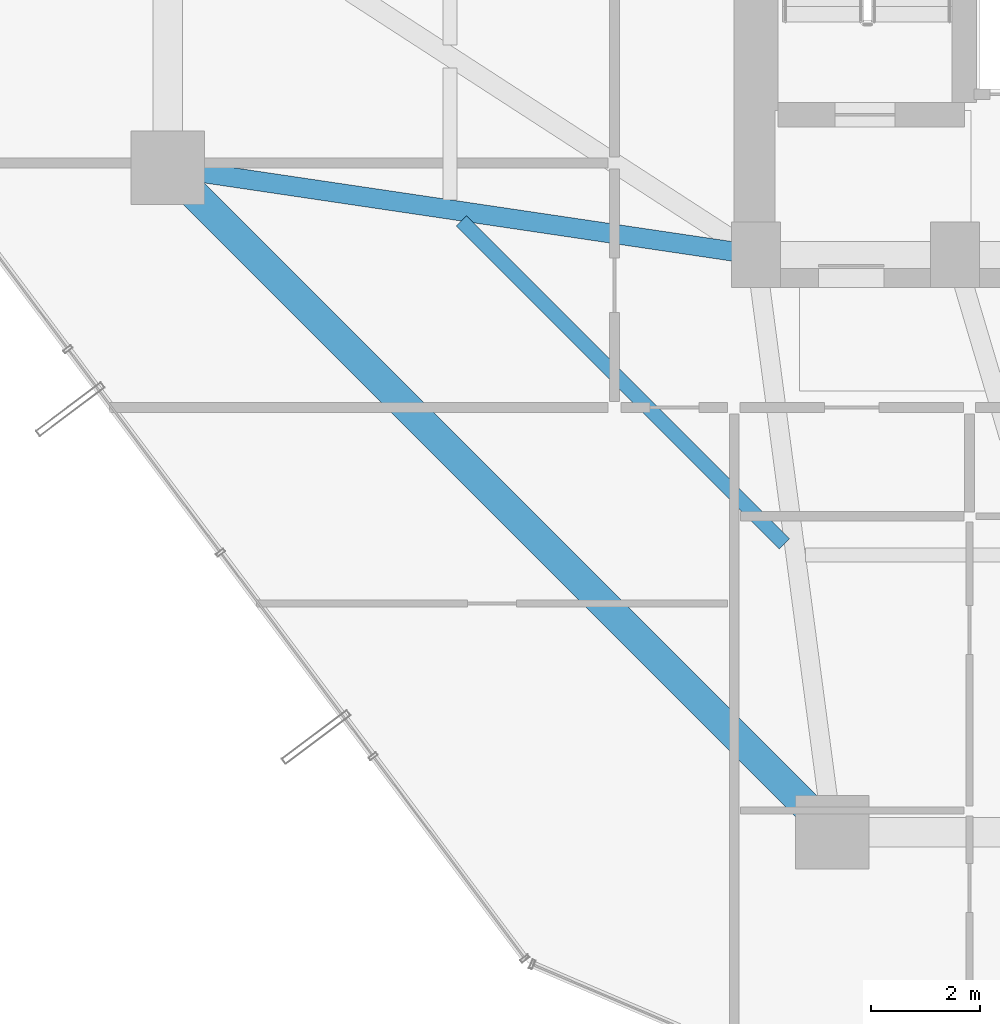
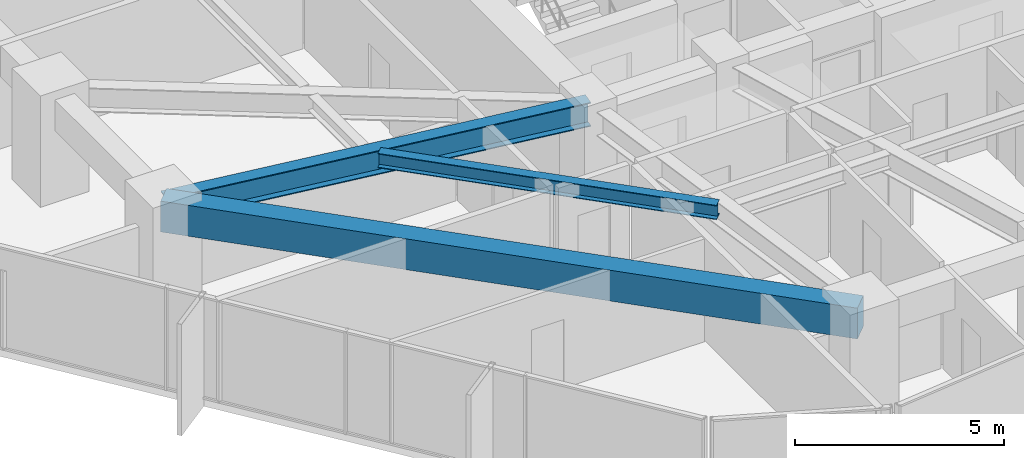
# One storey, part 5 of 37: 3 beams.
"""IFC4 building model written with IfcOpenShell, lengths in metres."""

from ifc_helpers import new_model, si_unit, direction, frame, origin, origin_2d, place, context, subcontext, project, spatial, rectangle, i_section, extrude, material, material_profile, profile_set, type_object, element, save


model = new_model("IFC4")

# Units and contexts
model_context = context("Model", 3, precision=1e-05, world=origin(), true_north=direction((0.0, 1.0)))
body_context = subcontext(model_context, "Body", "Model", "MODEL_VIEW")
ifc_project = project(units=[si_unit("LENGTHUNIT", "METRE"), si_unit("AREAUNIT", "SQUARE_METRE"), si_unit("VOLUMEUNIT", "CUBIC_METRE"), si_unit("PLANEANGLEUNIT", "RADIAN"), si_unit("MASSUNIT", "GRAM", prefix="KILO")], contexts=[model_context])

# Site, building, storey
site_placement = place(None, origin())
site = spatial("IfcSite", under=ifc_project, at=site_placement, CompositionType="ELEMENT")
building_placement = place(site_placement, origin())
building = spatial("IfcBuilding", under=site, at=building_placement, Name="Veraguas Prism Commons", CompositionType="ELEMENT")
storey_placement = place(building_placement, frame((0.0, 0.0, 46.800048828125)))
storey = spatial("IfcBuildingStorey", under=building, at=storey_placement, Name="L12", CompositionType="ELEMENT", Elevation=46.800048828125)

# Beams
ifc_material_1 = material(Name="Steel ASTM A992 Grade 50", Category="steel")
ifc_material_profile_1 = material_profile(ifc_material_1, i_section(OverallWidth=0.260986328125, OverallDepth=0.419921875, WebThickness=0.01171875, FlangeThickness=0.019287109375, at=origin_2d()), Name="W410X114")
ifc_profile_set_1 = profile_set([ifc_material_profile_1], Name="Steel ASTM A992 Grade 50")
beam_type_1 = type_object("IfcBeamType", Name="Lower Floor Joist W410x114", PredefinedType="JOIST", material=ifc_profile_set_1)
beam_1_placement = place(storey_placement, frame((11.79296875, 17.623046875, 2.7900390625), z_axis=(0.707092226423, -0.70712133565, 0.0), x_axis=(0.70712133565, 0.707092226423, 0.0)))
element("IfcBeam", 1, at=beam_1_placement, inside=storey, type_object=beam_type_1, Name="Composite Floor Joist L12-JS09", PredefinedType="JOIST", context=body_context, shape_type="SweptSolid", body=[
    extrude(i_section(OverallWidth=0.260986328125, OverallDepth=0.419921875, WebThickness=0.01171875, FlangeThickness=0.019287109375, at=origin_2d()), origin(), (0.0, 0.0, 1.0), 8.386962890625),
])
ifc_material_2 = material(Name="Concrete C50/60", Category="concrete")
ifc_material_profile_2 = material_profile(ifc_material_2, rectangle(XDim=0.550048828125, YDim=0.89990234375, at=origin_2d()), Name="RC550X900")
ifc_profile_set_2 = profile_set([ifc_material_profile_2], Name="Concrete C50/60")
beam_type_2 = type_object("IfcBeamType", Name="Perimeter Spandrel Lower RC 550x900", PredefinedType="SPANDREL", material=ifc_profile_set_2)
beam_2_placement = place(storey_placement, frame((6.39990234375, 18.60009765625, 2.550048828125), z_axis=(0.707106781187, -0.707106781187, 0.0), x_axis=(0.707106781187, 0.707106781187, 0.0)))
element("IfcBeam", 2, at=beam_2_placement, inside=storey, type_object=beam_type_2, Name="Perimeter Spandrel Beam L12-SP09", PredefinedType="SPANDREL", context=body_context, shape_type="SweptSolid", body=[
    extrude(rectangle(XDim=0.550048828125, YDim=0.89990234375, at=origin_2d()), origin(), (0.0, 0.0, 1.0), 17.253662109375),
])
ifc_material_profile_3 = material_profile(ifc_material_1, i_section(OverallWidth=0.35595703125, OverallDepth=0.700927734375, WebThickness=0.016845703125, FlangeThickness=0.02734375, at=origin_2d()), Name="W690X240")
ifc_profile_set_3 = profile_set([ifc_material_profile_3], Name="Steel ASTM A992 Grade 50")
beam_type_3 = type_object("IfcBeamType", Name="Zone 1 Radial Girder W690x240", PredefinedType="BEAM", material=ifc_profile_set_3)
beam_3_placement = place(storey_placement, frame((6.39990234375, 18.60009765625, 2.6494140625), z_axis=(0.989202261707, -0.146556765224, 0.0), x_axis=(0.146556765224, 0.989202261707, 0.0)))
element("IfcBeam", 3, at=beam_3_placement, inside=storey, type_object=beam_type_3, Name="Radial Floor Girder L12-RD09", PredefinedType="BEAM", context=body_context, shape_type="SweptSolid", body=[
    extrude(i_section(OverallWidth=0.35595703125, OverallDepth=0.700927734375, WebThickness=0.016845703125, FlangeThickness=0.02734375, at=origin_2d()), origin(), (0.0, 0.0, 1.0), 10.91796875),
])

save(model, "model.ifc")
